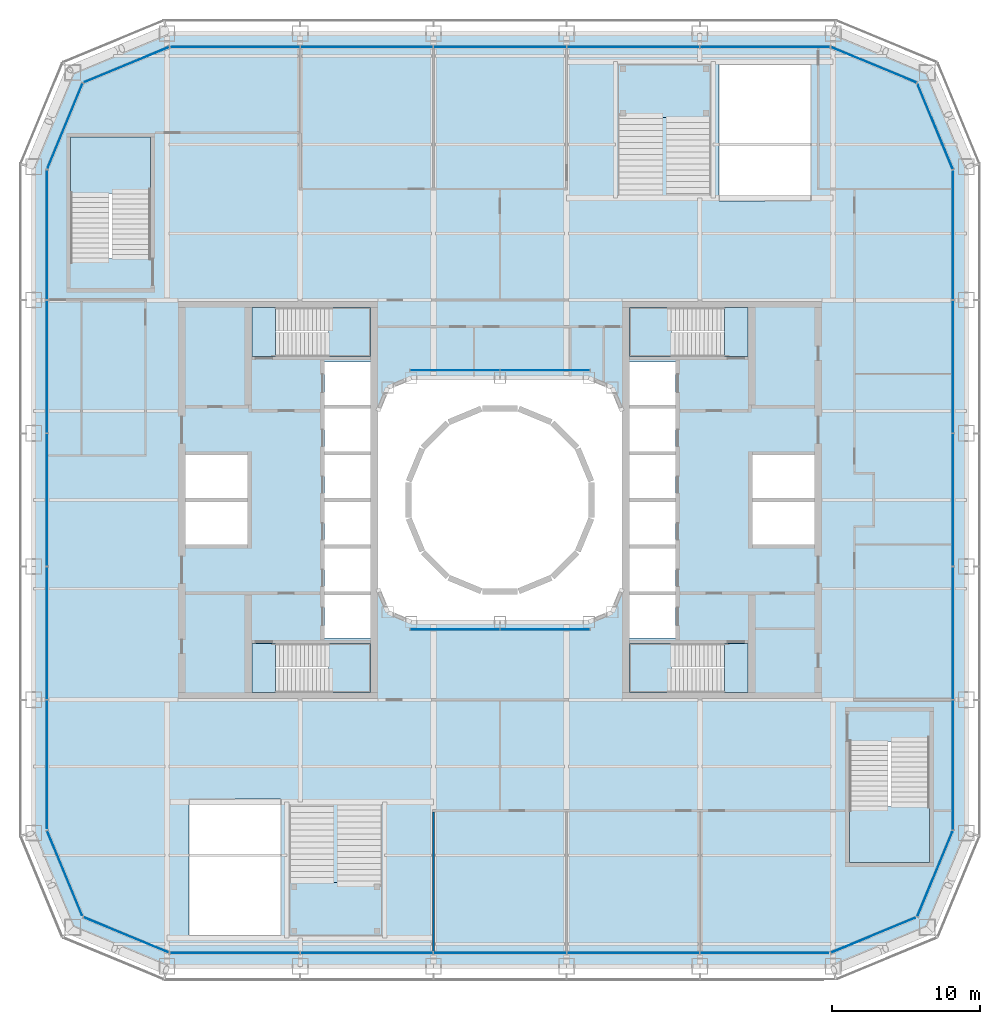
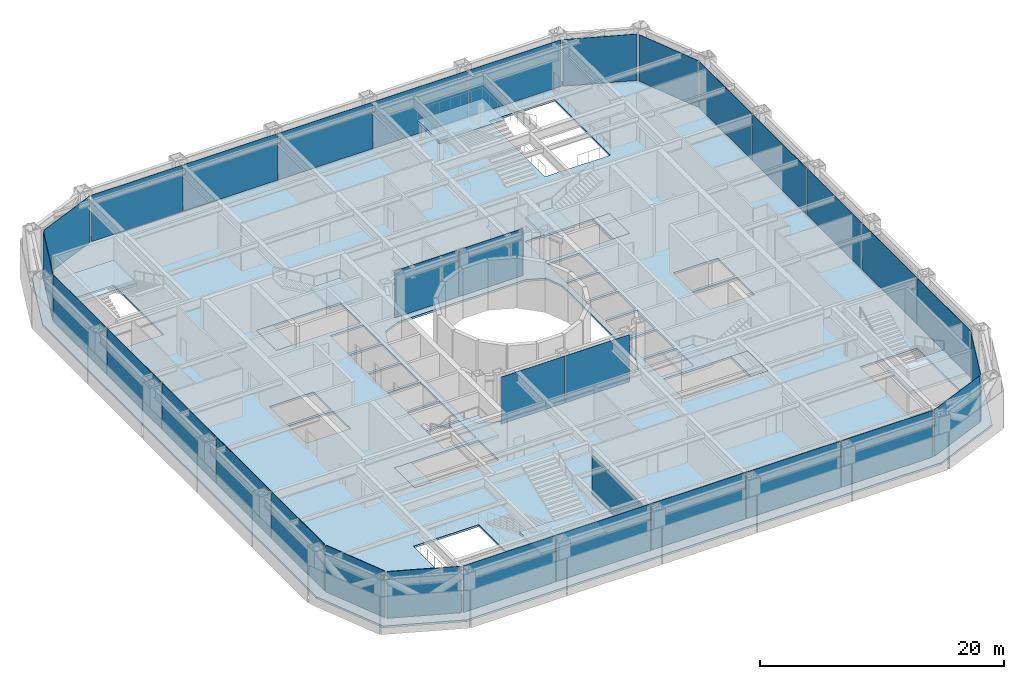
# One storey, part 11 of 25: 32 plates, 13 slabs, 1 wall, 22 elements without a shape of their own.
"""IFC4 building model written with IfcOpenShell, lengths in metres."""

from ifc_helpers import new_model, si_unit, direction, frame, frame_2d, origin, origin_2d, place, context, subcontext, project, spatial, polyline, rectangle, outline, extrude, material, layer, layer_set, type_object, element, aggregate, save


model = new_model("IFC4")

# Units and contexts
model_context = context("Model", 3, precision=1e-05, world=origin(), true_north=direction((0.0, 1.0)))
body_context = subcontext(model_context, "Body", "Model", "MODEL_VIEW")
ifc_project = project(units=[si_unit("LENGTHUNIT", "METRE"), si_unit("AREAUNIT", "SQUARE_METRE"), si_unit("VOLUMEUNIT", "CUBIC_METRE"), si_unit("PLANEANGLEUNIT", "RADIAN"), si_unit("MASSUNIT", "GRAM", prefix="KILO")], contexts=[model_context])

# Site, building, storey
site_placement = place(None, origin())
site = spatial("IfcSite", under=ifc_project, at=site_placement, CompositionType="ELEMENT")
building_placement = place(site_placement, origin())
building = spatial("IfcBuilding", under=site, at=building_placement, Name="Siwar Civic Tower", CompositionType="ELEMENT")
storey_placement = place(building_placement, frame((0.0, 0.0, 7.199951171875)))
storey = spatial("IfcBuildingStorey", under=building, at=storey_placement, Name="L01", CompositionType="ELEMENT", Elevation=7.199951171875)

# Stair, slabs
ifc_material_1 = material(Name="Concrete C40/50", Category="concrete")
stair_type_1 = type_object("IfcStairType", Name="CORE-STAIR", PredefinedType="TWO_STRAIGHT_RUN_STAIR", material=ifc_material_1)
stair_1_placement = place(storey_placement, origin())
stair_1 = element("IfcStair", 1, at=stair_1_placement, inside=storey, type_object=stair_type_1, Name="Exit stair ST1", PredefinedType="TWO_STRAIGHT_RUN_STAIR")
ifc_material_2 = material(Name="Concrete C40/50", Category="concrete")
ifc_layer_1 = layer(ifc_material_2, 0.300048828125)
ifc_layer_set_1 = layer_set([ifc_layer_1], Name="Concrete C40/50")
slab_type_1 = type_object("IfcSlabType", Name="CORE-STAIR-LANDING", PredefinedType="LANDING", material=ifc_layer_set_1)
slab_1_placement = place(storey_placement, frame((0.0, 0.0, -0.300048828125)))
slab_1 = element("IfcSlab", 2, at=slab_1_placement, type_object=slab_type_1, Name="ST1 landing 1", PredefinedType="LANDING", context=body_context, shape_type="SweptSolid", body=[
    extrude(outline(polyline([(-15.14990234375, 13.0), (-16.75, 13.0), (-16.75, 9.699951171875), (-15.14990234375, 9.699951171875), (-15.14990234375, 13.0)])), origin(), (0.0, 0.0, 1.0), 0.300048828125),
])
slab_2_placement = place(storey_placement, frame((0.0, 0.0, 2.199951171875)))
slab_2 = element("IfcSlab", 3, at=slab_2_placement, type_object=slab_type_1, Name="ST1 landing 2", PredefinedType="LANDING", context=body_context, shape_type="SweptSolid", body=[
    extrude(outline(polyline([(-8.75, 13.0), (-11.580078125, 13.0), (-11.580078125, 9.699951171875), (-8.75, 9.699951171875), (-8.75, 13.0)])), origin(), (0.0, 0.0, 1.0), 0.300048828125),
])
aggregate(stair_1, [slab_1, slab_2])

stair_2_placement = place(storey_placement, origin())
stair_2 = element("IfcStair", 4, at=stair_2_placement, inside=storey, type_object=stair_type_1, Name="Exit stair ST2", PredefinedType="TWO_STRAIGHT_RUN_STAIR")
slab_3_placement = place(storey_placement, frame((0.0, 0.0, -0.300048828125)))
slab_3 = element("IfcSlab", 5, at=slab_3_placement, type_object=slab_type_1, Name="ST2 landing 1", PredefinedType="LANDING", context=body_context, shape_type="SweptSolid", body=[
    extrude(outline(polyline([(-15.14990234375, -9.699951171875), (-16.75, -9.699951171875), (-16.75, -13.0), (-15.14990234375, -13.0), (-15.14990234375, -9.699951171875)])), origin(), (0.0, 0.0, 1.0), 0.300048828125),
])
slab_4_placement = place(storey_placement, frame((0.0, 0.0, 2.199951171875)))
slab_4 = element("IfcSlab", 6, at=slab_4_placement, type_object=slab_type_1, Name="ST2 landing 2", PredefinedType="LANDING", context=body_context, shape_type="SweptSolid", body=[
    extrude(outline(polyline([(-8.75, -9.699951171875), (-11.580078125, -9.699951171875), (-11.580078125, -13.0), (-8.75, -13.0), (-8.75, -9.699951171875)])), origin(), (0.0, 0.0, 1.0), 0.300048828125),
])
aggregate(stair_2, [slab_3, slab_4])

stair_3_placement = place(storey_placement, origin())
stair_3 = element("IfcStair", 7, at=stair_3_placement, inside=storey, type_object=stair_type_1, Name="Exit stair ST3", PredefinedType="TWO_STRAIGHT_RUN_STAIR")
slab_5_placement = place(storey_placement, frame((0.0, 0.0, -0.300048828125)))
slab_5 = element("IfcSlab", 8, at=slab_5_placement, type_object=slab_type_1, Name="ST3 landing 1", PredefinedType="LANDING", context=body_context, shape_type="SweptSolid", body=[
    extrude(outline(polyline([(15.14990234375, 9.699951171875), (16.75, 9.699951171875), (16.75, 13.0), (15.14990234375, 13.0), (15.14990234375, 9.699951171875)])), origin(), (0.0, 0.0, 1.0), 0.300048828125),
])
slab_6_placement = place(storey_placement, frame((0.0, 0.0, 2.199951171875)))
slab_6 = element("IfcSlab", 9, at=slab_6_placement, type_object=slab_type_1, Name="ST3 landing 2", PredefinedType="LANDING", context=body_context, shape_type="SweptSolid", body=[
    extrude(outline(polyline([(8.75, 9.699951171875), (11.580078125, 9.699951171875), (11.580078125, 13.0), (8.75, 13.0), (8.75, 9.699951171875)])), origin(), (0.0, 0.0, 1.0), 0.300048828125),
])
aggregate(stair_3, [slab_5, slab_6])

stair_4_placement = place(storey_placement, origin())
stair_4 = element("IfcStair", 10, at=stair_4_placement, inside=storey, type_object=stair_type_1, Name="Exit stair ST4", PredefinedType="TWO_STRAIGHT_RUN_STAIR")
slab_7_placement = place(storey_placement, frame((0.0, 0.0, -0.300048828125)))
slab_7 = element("IfcSlab", 11, at=slab_7_placement, type_object=slab_type_1, Name="ST4 landing 1", PredefinedType="LANDING", context=body_context, shape_type="SweptSolid", body=[
    extrude(outline(polyline([(15.14990234375, -13.0), (16.75, -13.0), (16.75, -9.699951171875), (15.14990234375, -9.699951171875), (15.14990234375, -13.0)])), origin(), (0.0, 0.0, 1.0), 0.300048828125),
])
slab_8_placement = place(storey_placement, frame((0.0, 0.0, 2.199951171875)))
slab_8 = element("IfcSlab", 12, at=slab_8_placement, type_object=slab_type_1, Name="ST4 landing 2", PredefinedType="LANDING", context=body_context, shape_type="SweptSolid", body=[
    extrude(outline(polyline([(8.75, -13.0), (11.580078125, -13.0), (11.580078125, -9.699951171875), (8.75, -9.699951171875), (8.75, -13.0)])), origin(), (0.0, 0.0, 1.0), 0.300048828125),
])
aggregate(stair_4, [slab_7, slab_8])

# Curtain wall, plates
ifc_material_3 = material(Name="Aluminium and glass", Category="aluminium")
ifc_layer_2 = layer(ifc_material_3, 0.25)
ifc_layer_set_2 = layer_set([ifc_layer_2], Name="Aluminium and glass")
curtain_wall_type_1 = type_object("IfcCurtainWallType", Name="ENV-CW-H", PredefinedType="NOTDEFINED", material=ifc_layer_set_2)
curtain_wall_1_placement = place(storey_placement, origin())
curtain_wall_1 = element("IfcCurtainWall", 13, at=curtain_wall_1_placement, inside=storey, type_object=curtain_wall_type_1, Name="Curtain wall H S", PredefinedType="NOTDEFINED")
ifc_material_4 = material(Name="Glass clear laminated", Category="glass")
ifc_layer_3 = layer(ifc_material_4, 0.0400390625)
ifc_layer_set_3 = layer_set([ifc_layer_3], Name="Glass clear laminated")
plate_type_1 = type_object("IfcPlateType", Name="ENV-PANEL-H", PredefinedType="CURTAIN_PANEL", material=ifc_layer_set_3)
plate_1_placement = place(storey_placement, frame((-17.910400390625, -30.60009765625, 0.14013671875), z_axis=(0.0, 0.0, 1.0), x_axis=(1.0, 0.0, 0.0)))
plate_1 = element("IfcPlate", 14, at=plate_1_placement, type_object=plate_type_1, Name="Curtain panel H S 1", PredefinedType="CURTAIN_PANEL", context=body_context, shape_type="SweptSolid", body=[
    extrude(rectangle(XDim=8.740966796875, YDim=0.0400390625, at=origin_2d()), origin(), (0.0, 0.0, 1.0), 4.659912109375),
])
plate_2_placement = place(storey_placement, frame((-9.0, -30.60009765625, 0.14013671875), z_axis=(0.0, 0.0, 1.0), x_axis=(1.0, 0.0, 0.0)))
plate_2 = element("IfcPlate", 15, at=plate_2_placement, type_object=plate_type_1, Name="Curtain panel H S 2", PredefinedType="CURTAIN_PANEL", context=body_context, shape_type="SweptSolid", body=[
    extrude(rectangle(XDim=8.919921875, YDim=0.0400390625, at=origin_2d()), origin(), (0.0, 0.0, 1.0), 4.659912109375),
])
plate_3_placement = place(storey_placement, frame((0.0, -30.60009765625, 0.14013671875), z_axis=(0.0, 0.0, 1.0), x_axis=(1.0, 0.0, 0.0)))
plate_3 = element("IfcPlate", 16, at=plate_3_placement, type_object=plate_type_1, Name="Curtain panel H S 3", PredefinedType="CURTAIN_PANEL", context=body_context, shape_type="SweptSolid", body=[
    extrude(rectangle(XDim=8.919921875, YDim=0.0400390625, at=origin_2d()), origin(), (0.0, 0.0, 1.0), 4.659912109375),
])
plate_4_placement = place(storey_placement, frame((9.0, -30.60009765625, 0.14013671875), z_axis=(0.0, 0.0, 1.0), x_axis=(1.0, 0.0, 0.0)))
plate_4 = element("IfcPlate", 17, at=plate_4_placement, type_object=plate_type_1, Name="Curtain panel H S 4", PredefinedType="CURTAIN_PANEL", context=body_context, shape_type="SweptSolid", body=[
    extrude(rectangle(XDim=8.919921875, YDim=0.0400390625, at=origin_2d()), origin(), (0.0, 0.0, 1.0), 4.659912109375),
])
plate_5_placement = place(storey_placement, frame((17.862060546875, -30.60009765625, 0.14013671875), z_axis=(0.0, 0.0, 1.0), x_axis=(1.0, 0.0, 0.0)))
plate_5 = element("IfcPlate", 18, at=plate_5_placement, type_object=plate_type_1, Name="Curtain panel H S 5", PredefinedType="CURTAIN_PANEL", context=body_context, shape_type="SweptSolid", body=[
    extrude(rectangle(XDim=8.644287109375, YDim=0.0400390625, at=origin_2d()), origin(), (0.0, 0.0, 1.0), 4.659912109375),
])
aggregate(curtain_wall_1, [plate_1, plate_2, plate_3, plate_4, plate_5])

curtain_wall_2_placement = place(storey_placement, origin())
curtain_wall_2 = element("IfcCurtainWall", 19, at=curtain_wall_2_placement, inside=storey, type_object=curtain_wall_type_1, Name="Curtain wall H E", PredefinedType="NOTDEFINED")
plate_6_placement = place(storey_placement, frame((30.60009765625, -17.910400390625, 0.14013671875), z_axis=(0.0, 0.0, 1.0), x_axis=(0.0, 1.0, 0.0)))
plate_6 = element("IfcPlate", 20, at=plate_6_placement, type_object=plate_type_1, Name="Curtain panel H E 1", PredefinedType="CURTAIN_PANEL", context=body_context, shape_type="SweptSolid", body=[
    extrude(rectangle(XDim=8.740966796875, YDim=0.0400390625, at=origin_2d()), origin(), (0.0, 0.0, 1.0), 4.659912109375),
])
plate_7_placement = place(storey_placement, frame((30.60009765625, -9.0, 0.14013671875), z_axis=(0.0, 0.0, 1.0), x_axis=(0.0, 1.0, 0.0)))
plate_7 = element("IfcPlate", 21, at=plate_7_placement, type_object=plate_type_1, Name="Curtain panel H E 2", PredefinedType="CURTAIN_PANEL", context=body_context, shape_type="SweptSolid", body=[
    extrude(rectangle(XDim=8.919921875, YDim=0.0400390625, at=origin_2d()), origin(), (0.0, 0.0, 1.0), 4.659912109375),
])
plate_8_placement = place(storey_placement, frame((30.60009765625, 0.0, 0.14013671875), z_axis=(0.0, 0.0, 1.0), x_axis=(0.0, 1.0, 0.0)))
plate_8 = element("IfcPlate", 22, at=plate_8_placement, type_object=plate_type_1, Name="Curtain panel H E 3", PredefinedType="CURTAIN_PANEL", context=body_context, shape_type="SweptSolid", body=[
    extrude(rectangle(XDim=8.919921875, YDim=0.0400390625, at=origin_2d()), origin(), (0.0, 0.0, 1.0), 4.659912109375),
])
plate_9_placement = place(storey_placement, frame((30.60009765625, 9.0, 0.14013671875), z_axis=(0.0, 0.0, 1.0), x_axis=(0.0, 1.0, 0.0)))
plate_9 = element("IfcPlate", 23, at=plate_9_placement, type_object=plate_type_1, Name="Curtain panel H E 4", PredefinedType="CURTAIN_PANEL", context=body_context, shape_type="SweptSolid", body=[
    extrude(rectangle(XDim=8.919921875, YDim=0.0400390625, at=origin_2d()), origin(), (0.0, 0.0, 1.0), 4.659912109375),
])
plate_10_placement = place(storey_placement, frame((30.60009765625, 17.862060546875, 0.14013671875), z_axis=(0.0, 0.0, 1.0), x_axis=(0.0, 1.0, 0.0)))
plate_10 = element("IfcPlate", 24, at=plate_10_placement, type_object=plate_type_1, Name="Curtain panel H E 5", PredefinedType="CURTAIN_PANEL", context=body_context, shape_type="SweptSolid", body=[
    extrude(rectangle(XDim=8.644287109375, YDim=0.0400390625, at=origin_2d()), origin(), (0.0, 0.0, 1.0), 4.659912109375),
])
aggregate(curtain_wall_2, [plate_6, plate_7, plate_8, plate_9, plate_10])

curtain_wall_3_placement = place(storey_placement, origin())
curtain_wall_3 = element("IfcCurtainWall", 25, at=curtain_wall_3_placement, inside=storey, type_object=curtain_wall_type_1, Name="Curtain wall H N", PredefinedType="NOTDEFINED")
plate_11_placement = place(storey_placement, frame((17.910400390625, 30.60009765625, 0.14013671875), z_axis=(0.0, 0.0, 1.0), x_axis=(-1.0, 0.0, 0.0)))
plate_11 = element("IfcPlate", 26, at=plate_11_placement, type_object=plate_type_1, Name="Curtain panel H N 1", PredefinedType="CURTAIN_PANEL", context=body_context, shape_type="SweptSolid", body=[
    extrude(rectangle(XDim=8.740966796875, YDim=0.0400390625, at=origin_2d()), origin(), (0.0, 0.0, 1.0), 4.659912109375),
])
plate_12_placement = place(storey_placement, frame((9.0, 30.60009765625, 0.14013671875), z_axis=(0.0, 0.0, 1.0), x_axis=(-1.0, 0.0, 0.0)))
plate_12 = element("IfcPlate", 27, at=plate_12_placement, type_object=plate_type_1, Name="Curtain panel H N 2", PredefinedType="CURTAIN_PANEL", context=body_context, shape_type="SweptSolid", body=[
    extrude(rectangle(XDim=8.919921875, YDim=0.0400390625, at=origin_2d()), origin(), (0.0, 0.0, 1.0), 4.659912109375),
])
plate_13_placement = place(storey_placement, frame((0.0, 30.60009765625, 0.14013671875), z_axis=(0.0, 0.0, 1.0), x_axis=(-1.0, 0.0, 0.0)))
plate_13 = element("IfcPlate", 28, at=plate_13_placement, type_object=plate_type_1, Name="Curtain panel H N 3", PredefinedType="CURTAIN_PANEL", context=body_context, shape_type="SweptSolid", body=[
    extrude(rectangle(XDim=8.919921875, YDim=0.0400390625, at=origin_2d()), origin(), (0.0, 0.0, 1.0), 4.659912109375),
])
plate_14_placement = place(storey_placement, frame((-9.0, 30.60009765625, 0.14013671875), z_axis=(0.0, 0.0, 1.0), x_axis=(-1.0, 0.0, 0.0)))
plate_14 = element("IfcPlate", 29, at=plate_14_placement, type_object=plate_type_1, Name="Curtain panel H N 4", PredefinedType="CURTAIN_PANEL", context=body_context, shape_type="SweptSolid", body=[
    extrude(rectangle(XDim=8.919921875, YDim=0.0400390625, at=origin_2d()), origin(), (0.0, 0.0, 1.0), 4.659912109375),
])
plate_15_placement = place(storey_placement, frame((-17.862060546875, 30.60009765625, 0.14013671875), z_axis=(0.0, 0.0, 1.0), x_axis=(-1.0, 0.0, 0.0)))
plate_15 = element("IfcPlate", 30, at=plate_15_placement, type_object=plate_type_1, Name="Curtain panel H N 5", PredefinedType="CURTAIN_PANEL", context=body_context, shape_type="SweptSolid", body=[
    extrude(rectangle(XDim=8.644287109375, YDim=0.0400390625, at=origin_2d()), origin(), (0.0, 0.0, 1.0), 4.659912109375),
])
aggregate(curtain_wall_3, [plate_11, plate_12, plate_13, plate_14, plate_15])

curtain_wall_4_placement = place(storey_placement, origin())
curtain_wall_4 = element("IfcCurtainWall", 31, at=curtain_wall_4_placement, inside=storey, type_object=curtain_wall_type_1, Name="Curtain wall H W", PredefinedType="NOTDEFINED")
plate_16_placement = place(storey_placement, frame((-30.60009765625, 17.910400390625, 0.14013671875), z_axis=(0.0, 0.0, 1.0), x_axis=(0.0, -1.0, 0.0)))
plate_16 = element("IfcPlate", 32, at=plate_16_placement, type_object=plate_type_1, Name="Curtain panel H W 1", PredefinedType="CURTAIN_PANEL", context=body_context, shape_type="SweptSolid", body=[
    extrude(rectangle(XDim=8.740966796875, YDim=0.0400390625, at=origin_2d()), origin(), (0.0, 0.0, 1.0), 4.659912109375),
])
plate_17_placement = place(storey_placement, frame((-30.60009765625, 9.0, 0.14013671875), z_axis=(0.0, 0.0, 1.0), x_axis=(0.0, -1.0, 0.0)))
plate_17 = element("IfcPlate", 33, at=plate_17_placement, type_object=plate_type_1, Name="Curtain panel H W 2", PredefinedType="CURTAIN_PANEL", context=body_context, shape_type="SweptSolid", body=[
    extrude(rectangle(XDim=8.919921875, YDim=0.0400390625, at=origin_2d()), origin(), (0.0, 0.0, 1.0), 4.659912109375),
])
plate_18_placement = place(storey_placement, frame((-30.60009765625, 0.0, 0.14013671875), z_axis=(0.0, 0.0, 1.0), x_axis=(0.0, -1.0, 0.0)))
plate_18 = element("IfcPlate", 34, at=plate_18_placement, type_object=plate_type_1, Name="Curtain panel H W 3", PredefinedType="CURTAIN_PANEL", context=body_context, shape_type="SweptSolid", body=[
    extrude(rectangle(XDim=8.919921875, YDim=0.0400390625, at=origin_2d()), origin(), (0.0, 0.0, 1.0), 4.659912109375),
])
plate_19_placement = place(storey_placement, frame((-30.60009765625, -9.0, 0.14013671875), z_axis=(0.0, 0.0, 1.0), x_axis=(0.0, -1.0, 0.0)))
plate_19 = element("IfcPlate", 35, at=plate_19_placement, type_object=plate_type_1, Name="Curtain panel H W 4", PredefinedType="CURTAIN_PANEL", context=body_context, shape_type="SweptSolid", body=[
    extrude(rectangle(XDim=8.919921875, YDim=0.0400390625, at=origin_2d()), origin(), (0.0, 0.0, 1.0), 4.659912109375),
])
plate_20_placement = place(storey_placement, frame((-30.60009765625, -17.862060546875, 0.14013671875), z_axis=(0.0, 0.0, 1.0), x_axis=(0.0, -1.0, 0.0)))
plate_20 = element("IfcPlate", 36, at=plate_20_placement, type_object=plate_type_1, Name="Curtain panel H W 5", PredefinedType="CURTAIN_PANEL", context=body_context, shape_type="SweptSolid", body=[
    extrude(rectangle(XDim=8.644287109375, YDim=0.0400390625, at=origin_2d()), origin(), (0.0, 0.0, 1.0), 4.659912109375),
])
aggregate(curtain_wall_4, [plate_16, plate_17, plate_18, plate_19, plate_20])

# Curtain wall, plate
ifc_material_5 = material(Name="Aluminium clad insulated panel", Category="aluminium")
ifc_layer_4 = layer(ifc_material_5, 0.25)
ifc_layer_set_4 = layer_set([ifc_layer_4], Name="Aluminium clad insulated panel")
curtain_wall_type_2 = type_object("IfcCurtainWallType", Name="ENV-CW-HX", PredefinedType="NOTDEFINED", material=ifc_layer_set_4)
curtain_wall_5_placement = place(storey_placement, origin())
curtain_wall_5 = element("IfcCurtainWall", 37, at=curtain_wall_5_placement, inside=storey, type_object=curtain_wall_type_2, Name="Curtain wall H SE1", PredefinedType="NOTDEFINED")
ifc_material_6 = material(Name="Aluminium clad insulated panel", Category="aluminium")
ifc_layer_5 = layer(ifc_material_6, 0.0400390625)
ifc_layer_set_5 = layer_set([ifc_layer_5], Name="Aluminium clad insulated panel")
plate_type_2 = type_object("IfcPlateType", Name="ENV-PANEL-HX", PredefinedType="CURTAIN_PANEL", material=ifc_layer_set_5)
plate_21_placement = place(storey_placement, frame((25.203369140625, -29.406005859375, 0.14013671875), z_axis=(0.0, 0.0, 1.0), x_axis=(0.923879532511, 0.382683432365, 0.0)))
plate_21 = element("IfcPlate", 38, at=plate_21_placement, type_object=plate_type_2, Name="Curtain panel H SE1 1", PredefinedType="CURTAIN_PANEL", context=body_context, shape_type="SweptSolid", body=[
    extrude(rectangle(XDim=6.159912109375, YDim=0.0400390625, at=origin_2d()), origin(), (0.0, 0.0, 1.0), 4.659912109375),
])
aggregate(curtain_wall_5, [plate_21])

curtain_wall_6_placement = place(storey_placement, origin())
curtain_wall_6 = element("IfcCurtainWall", 39, at=curtain_wall_6_placement, inside=storey, type_object=curtain_wall_type_2, Name="Curtain wall H SE2", PredefinedType="NOTDEFINED")
plate_22_placement = place(storey_placement, frame((29.369140625, -25.292724609375, 0.14013671875), z_axis=(0.0, 0.0, 1.0), x_axis=(0.382683432365, 0.923879532511, 0.0)))
plate_22 = element("IfcPlate", 40, at=plate_22_placement, type_object=plate_type_2, Name="Curtain panel H SE2 1", PredefinedType="CURTAIN_PANEL", context=body_context, shape_type="SweptSolid", body=[
    extrude(rectangle(XDim=6.159912109375, YDim=0.0400390625, at=origin_2d()), origin(), (0.0, 0.0, 1.0), 4.659912109375),
])
aggregate(curtain_wall_6, [plate_22])

curtain_wall_7_placement = place(storey_placement, origin())
curtain_wall_7 = element("IfcCurtainWall", 41, at=curtain_wall_7_placement, inside=storey, type_object=curtain_wall_type_2, Name="Curtain wall H NE1", PredefinedType="NOTDEFINED")
plate_23_placement = place(storey_placement, frame((29.406005859375, 25.203369140625, 0.14013671875), z_axis=(0.0, 0.0, 1.0), x_axis=(-0.382683432365, 0.923879532511, 0.0)))
plate_23 = element("IfcPlate", 42, at=plate_23_placement, type_object=plate_type_2, Name="Curtain panel H NE1 1", PredefinedType="CURTAIN_PANEL", context=body_context, shape_type="SweptSolid", body=[
    extrude(rectangle(XDim=6.159912109375, YDim=0.0400390625, at=origin_2d()), origin(), (0.0, 0.0, 1.0), 4.659912109375),
])
aggregate(curtain_wall_7, [plate_23])

curtain_wall_8_placement = place(storey_placement, origin())
curtain_wall_8 = element("IfcCurtainWall", 43, at=curtain_wall_8_placement, inside=storey, type_object=curtain_wall_type_2, Name="Curtain wall H NE2", PredefinedType="NOTDEFINED")
plate_24_placement = place(storey_placement, frame((25.292724609375, 29.369140625, 0.14013671875), z_axis=(0.0, 0.0, 1.0), x_axis=(-0.923879532511, 0.382683432365, 0.0)))
plate_24 = element("IfcPlate", 44, at=plate_24_placement, type_object=plate_type_2, Name="Curtain panel H NE2 1", PredefinedType="CURTAIN_PANEL", context=body_context, shape_type="SweptSolid", body=[
    extrude(rectangle(XDim=6.159912109375, YDim=0.0400390625, at=origin_2d()), origin(), (0.0, 0.0, 1.0), 4.659912109375),
])
aggregate(curtain_wall_8, [plate_24])

curtain_wall_9_placement = place(storey_placement, origin())
curtain_wall_9 = element("IfcCurtainWall", 45, at=curtain_wall_9_placement, inside=storey, type_object=curtain_wall_type_2, Name="Curtain wall H NW1", PredefinedType="NOTDEFINED")
plate_25_placement = place(storey_placement, frame((-25.203369140625, 29.406005859375, 0.14013671875), z_axis=(0.0, 0.0, 1.0), x_axis=(-0.923879532511, -0.382683432365, 0.0)))
plate_25 = element("IfcPlate", 46, at=plate_25_placement, type_object=plate_type_2, Name="Curtain panel H NW1 1", PredefinedType="CURTAIN_PANEL", context=body_context, shape_type="SweptSolid", body=[
    extrude(rectangle(XDim=6.159912109375, YDim=0.0400390625, at=origin_2d()), origin(), (0.0, 0.0, 1.0), 4.659912109375),
])
aggregate(curtain_wall_9, [plate_25])

curtain_wall_10_placement = place(storey_placement, origin())
curtain_wall_10 = element("IfcCurtainWall", 47, at=curtain_wall_10_placement, inside=storey, type_object=curtain_wall_type_2, Name="Curtain wall H NW2", PredefinedType="NOTDEFINED")
plate_26_placement = place(storey_placement, frame((-29.369140625, 25.292724609375, 0.14013671875), z_axis=(0.0, 0.0, 1.0), x_axis=(-0.382683432365, -0.923879532511, 0.0)))
plate_26 = element("IfcPlate", 48, at=plate_26_placement, type_object=plate_type_2, Name="Curtain panel H NW2 1", PredefinedType="CURTAIN_PANEL", context=body_context, shape_type="SweptSolid", body=[
    extrude(rectangle(XDim=6.159912109375, YDim=0.0400390625, at=origin_2d()), origin(), (0.0, 0.0, 1.0), 4.659912109375),
])
aggregate(curtain_wall_10, [plate_26])

curtain_wall_11_placement = place(storey_placement, origin())
curtain_wall_11 = element("IfcCurtainWall", 49, at=curtain_wall_11_placement, inside=storey, type_object=curtain_wall_type_2, Name="Curtain wall H SW1", PredefinedType="NOTDEFINED")
plate_27_placement = place(storey_placement, frame((-29.406005859375, -25.203369140625, 0.14013671875), z_axis=(0.0, 0.0, 1.0), x_axis=(0.382683432365, -0.923879532511, 0.0)))
plate_27 = element("IfcPlate", 50, at=plate_27_placement, type_object=plate_type_2, Name="Curtain panel H SW1 1", PredefinedType="CURTAIN_PANEL", context=body_context, shape_type="SweptSolid", body=[
    extrude(rectangle(XDim=6.159912109375, YDim=0.0400390625, at=origin_2d()), origin(), (0.0, 0.0, 1.0), 4.659912109375),
])
aggregate(curtain_wall_11, [plate_27])

curtain_wall_12_placement = place(storey_placement, origin())
curtain_wall_12 = element("IfcCurtainWall", 51, at=curtain_wall_12_placement, inside=storey, type_object=curtain_wall_type_2, Name="Curtain wall H SW2", PredefinedType="NOTDEFINED")
plate_28_placement = place(storey_placement, frame((-25.292724609375, -29.369140625, 0.14013671875), z_axis=(0.0, 0.0, 1.0), x_axis=(0.923879532511, -0.382683432365, 0.0)))
plate_28 = element("IfcPlate", 52, at=plate_28_placement, type_object=plate_type_2, Name="Curtain panel H SW2 1", PredefinedType="CURTAIN_PANEL", context=body_context, shape_type="SweptSolid", body=[
    extrude(rectangle(XDim=6.159912109375, YDim=0.0400390625, at=origin_2d()), origin(), (0.0, 0.0, 1.0), 4.659912109375),
])
aggregate(curtain_wall_12, [plate_28])

# Curtain wall, plates
ifc_material_7 = material(Name="Aluminium and glass", Category="aluminium")
ifc_layer_6 = layer(ifc_material_7, 0.179931640625)
ifc_layer_set_6 = layer_set([ifc_layer_6], Name="Aluminium and glass")
curtain_wall_type_3 = type_object("IfcCurtainWallType", Name="ENV-CW-W", PredefinedType="NOTDEFINED", material=ifc_layer_set_6)
curtain_wall_13_placement = place(storey_placement, origin())
curtain_wall_13 = element("IfcCurtainWall", 53, at=curtain_wall_13_placement, inside=storey, type_object=curtain_wall_type_3, Name="Curtain wall W WS", PredefinedType="NOTDEFINED")
ifc_material_8 = material(Name="Glass clear laminated", Category="glass")
ifc_layer_7 = layer(ifc_material_8, 0.031982421875)
ifc_layer_set_7 = layer_set([ifc_layer_7], Name="Glass clear laminated")
plate_type_3 = type_object("IfcPlateType", Name="ENV-PANEL-W", PredefinedType="CURTAIN_PANEL", material=ifc_layer_set_7)
plate_29_placement = place(storey_placement, frame((-3.05078125, -8.760009765625, 0.10009765625), z_axis=(0.0, 0.0, 1.0), x_axis=(1.0, 0.0, 0.0)))
plate_29 = element("IfcPlate", 54, at=plate_29_placement, type_object=plate_type_3, Name="Curtain panel W WS 1", PredefinedType="CURTAIN_PANEL", context=body_context, shape_type="SweptSolid", body=[
    extrude(rectangle(XDim=6.04150390625, YDim=0.031982421875, at=origin_2d()), origin(), (0.0, 0.0, 1.0), 4.699951171875),
])
plate_30_placement = place(storey_placement, frame((3.05078125, -8.760009765625, 0.10009765625), z_axis=(0.0, 0.0, 1.0), x_axis=(1.0, 0.0, 0.0)))
plate_30 = element("IfcPlate", 55, at=plate_30_placement, type_object=plate_type_3, Name="Curtain panel W WS 2", PredefinedType="CURTAIN_PANEL", context=body_context, shape_type="SweptSolid", body=[
    extrude(rectangle(XDim=6.04150390625, YDim=0.031982421875, at=origin_2d()), origin(), (0.0, 0.0, 1.0), 4.699951171875),
])
aggregate(curtain_wall_13, [plate_29, plate_30])

curtain_wall_14_placement = place(storey_placement, origin())
curtain_wall_14 = element("IfcCurtainWall", 56, at=curtain_wall_14_placement, inside=storey, type_object=curtain_wall_type_3, Name="Curtain wall W WN", PredefinedType="NOTDEFINED")
plate_31_placement = place(storey_placement, frame((3.05078125, 8.760009765625, 0.10009765625), z_axis=(0.0, 0.0, 1.0), x_axis=(-1.0, 0.0, 0.0)))
plate_31 = element("IfcPlate", 57, at=plate_31_placement, type_object=plate_type_3, Name="Curtain panel W WN 1", PredefinedType="CURTAIN_PANEL", context=body_context, shape_type="SweptSolid", body=[
    extrude(rectangle(XDim=6.04150390625, YDim=0.031982421875, at=origin_2d()), origin(), (0.0, 0.0, 1.0), 4.699951171875),
])
plate_32_placement = place(storey_placement, frame((-3.05078125, 8.760009765625, 0.10009765625), z_axis=(0.0, 0.0, 1.0), x_axis=(-1.0, 0.0, 0.0)))
plate_32 = element("IfcPlate", 58, at=plate_32_placement, type_object=plate_type_3, Name="Curtain panel W WN 2", PredefinedType="CURTAIN_PANEL", context=body_context, shape_type="SweptSolid", body=[
    extrude(rectangle(XDim=6.04150390625, YDim=0.031982421875, at=origin_2d()), origin(), (0.0, 0.0, 1.0), 4.699951171875),
])
aggregate(curtain_wall_14, [plate_31, plate_32])

# Stair, slab
ifc_material_9 = material(Name="Concrete C40/50", Category="concrete")
stair_type_2 = type_object("IfcStairType", Name="GND-ES-STAIR-UPPER", PredefinedType="TWO_STRAIGHT_RUN_STAIR", material=ifc_material_9)
stair_5_placement = place(storey_placement, origin())
stair_5 = element("IfcStair", 59, at=stair_5_placement, inside=storey, type_object=stair_type_2, Name="Exit stair ST5", PredefinedType="TWO_STRAIGHT_RUN_STAIR")
ifc_material_10 = material(Name="Concrete C40/50", Category="concrete")
ifc_layer_8 = layer(ifc_material_10, 0.300048828125)
ifc_layer_set_8 = layer_set([ifc_layer_8], Name="Concrete C40/50")
slab_type_2 = type_object("IfcSlabType", Name="GND-ES-LANDING", PredefinedType="LANDING", material=ifc_layer_set_8)
slab_9_placement = place(storey_placement, frame((0.0, 0.0, 2.199951171875)))
slab_9 = element("IfcSlab", 60, at=slab_9_placement, type_object=slab_type_2, Name="ST5 landing 1", PredefinedType="LANDING", context=body_context, shape_type="SweptSolid", body=[
    extrude(outline(polyline([(-29.0, 20.7099609375), (-23.60009765625, 20.7099609375), (-23.60009765625, 24.5), (-29.0, 24.5), (-29.0, 20.7099609375)])), origin(), (0.0, 0.0, 1.0), 0.300048828125),
])
aggregate(stair_5, [slab_9])

stair_6_placement = place(storey_placement, origin())
stair_6 = element("IfcStair", 61, at=stair_6_placement, inside=storey, type_object=stair_type_2, Name="Exit stair ST6", PredefinedType="TWO_STRAIGHT_RUN_STAIR")
slab_10_placement = place(storey_placement, frame((0.0, 0.0, 2.199951171875)))
slab_10 = element("IfcSlab", 62, at=slab_10_placement, type_object=slab_type_2, Name="ST6 landing 1", PredefinedType="LANDING", context=body_context, shape_type="SweptSolid", body=[
    extrude(outline(polyline([(29.0, -20.7099609375), (23.60009765625, -20.7099609375), (23.60009765625, -24.5), (29.0, -24.5), (29.0, -20.7099609375)])), origin(), (0.0, 0.0, 1.0), 0.300048828125),
])
aggregate(stair_6, [slab_10])

ifc_material_11 = material(Name="Concrete C40/50", Category="concrete")
stair_type_3 = type_object("IfcStairType", Name="GND-GS-STAIR", PredefinedType="TWO_STRAIGHT_RUN_STAIR", material=ifc_material_11)
stair_7_placement = place(storey_placement, origin())
stair_7 = element("IfcStair", 63, at=stair_7_placement, inside=storey, type_object=stair_type_3, Name="Grand stair 1", PredefinedType="TWO_STRAIGHT_RUN_STAIR")
ifc_material_12 = material(Name="Concrete C40/50", Category="concrete")
ifc_layer_9 = layer(ifc_material_12, 0.300048828125)
ifc_layer_set_9 = layer_set([ifc_layer_9], Name="Concrete C40/50")
slab_type_3 = type_object("IfcSlabType", Name="GND-GS-LANDING", PredefinedType="LANDING", material=ifc_layer_set_9)
slab_11_placement = place(storey_placement, frame((0.0, 0.0, 2.199951171875)))
slab_11 = element("IfcSlab", 64, at=slab_11_placement, type_object=slab_type_3, Name="GS1 landing 1", PredefinedType="LANDING", context=body_context, shape_type="SweptSolid", body=[
    extrude(outline(polyline([(-14.199951171875, -29.39990234375), (-8.0, -29.39990234375), (-8.0, -25.85009765625), (-14.199951171875, -25.85009765625), (-14.199951171875, -29.39990234375)])), origin(), (0.0, 0.0, 1.0), 0.300048828125),
])
aggregate(stair_7, [slab_11])

stair_8_placement = place(storey_placement, origin())
stair_8 = element("IfcStair", 65, at=stair_8_placement, inside=storey, type_object=stair_type_3, Name="Grand stair 2", PredefinedType="TWO_STRAIGHT_RUN_STAIR")
slab_12_placement = place(storey_placement, frame((0.0, 0.0, 2.199951171875)))
slab_12 = element("IfcSlab", 66, at=slab_12_placement, type_object=slab_type_3, Name="GS2 landing 1", PredefinedType="LANDING", context=body_context, shape_type="SweptSolid", body=[
    extrude(outline(polyline([(14.199951171875, 29.39990234375), (8.0, 29.39990234375), (8.0, 25.85009765625), (14.199951171875, 25.85009765625), (14.199951171875, 29.39990234375)])), origin(), (0.0, 0.0, 1.0), 0.300048828125),
])
aggregate(stair_8, [slab_12])

# Slab
ifc_material_13 = material(Name="Concrete C40/50", Category="concrete")
ifc_layer_10 = layer(ifc_material_13, 0.199951171875)
ifc_layer_set_10 = layer_set([ifc_layer_10], Name="Concrete C40/50")
slab_type_4 = type_object("IfcSlabType", Name="STR-FLOOR-DECK-200", PredefinedType="FLOOR", material=ifc_layer_set_10)
slab_13_placement = place(storey_placement, frame((0.0, 0.0, -0.199951171875)))
element("IfcSlab", 67, at=slab_13_placement, inside=storey, type_object=slab_type_4, Name="L01/slab/1", PredefinedType="FLOOR", context=body_context, shape_type="SweptSolid", body=[
    extrude(outline(polyline([(-22.5, -31.5), (22.5, -31.5), (28.864013671875, -28.864013671875), (31.5, -22.5), (31.5, 22.5), (28.864013671875, 28.864013671875), (22.5, 31.5), (-22.5, 31.5), (-28.864013671875, 28.864013671875), (-31.5, 22.5), (-31.5, -22.5), (-28.864013671875, -28.864013671875), (-22.5, -31.5)]), holes=[polyline([(29.0, -16.300048828125), (29.0, -24.5), (23.60009765625, -24.5), (23.60009765625, -16.300048828125), (29.0, -16.300048828125)]), polyline([(21.25, 3.02490234375), (21.25, 0.125), (17.050048828125, 0.125), (17.050048828125, 3.02490234375), (21.25, 3.02490234375)]), polyline([(17.050048828125, -0.125), (21.25, -0.125), (21.25, -3.02490234375), (17.050048828125, -3.02490234375), (17.050048828125, -0.125)]), polyline([(21.0, 29.39990234375), (21.0, 20.199951171875), (14.800048828125, 20.199951171875), (14.800048828125, 29.39990234375), (21.0, 29.39990234375)]), polyline([(16.75, 13.0), (16.75, 9.699951171875), (8.75, 9.699951171875), (8.75, 13.0), (16.75, 13.0)]), polyline([(16.75, -9.699951171875), (16.75, -13.0), (8.75, -13.0), (8.75, -9.699951171875), (16.75, -9.699951171875)]), polyline([(11.85009765625, 9.324951171875), (11.85009765625, 6.425048828125), (8.75, 6.425048828125), (8.75, 9.324951171875), (11.85009765625, 9.324951171875)]), polyline([(11.85009765625, 6.175048828125), (11.85009765625, 3.27490234375), (8.75, 3.27490234375), (8.75, 6.175048828125), (11.85009765625, 6.175048828125)]), polyline([(11.85009765625, 3.02490234375), (11.85009765625, 0.125), (8.75, 0.125), (8.75, 3.02490234375), (11.85009765625, 3.02490234375)]), polyline([(11.85009765625, -0.125), (11.85009765625, -3.02490234375), (8.75, -3.02490234375), (8.75, -0.125), (11.85009765625, -0.125)]), polyline([(11.85009765625, -3.27490234375), (11.85009765625, -6.175048828125), (8.75, -6.175048828125), (8.75, -3.27490234375), (11.85009765625, -3.27490234375)]), polyline([(8.75, -6.425048828125), (11.85009765625, -6.425048828125), (11.85009765625, -9.324951171875), (8.75, -9.324951171875), (8.75, -6.425048828125)]), polyline([(-6.0, 8.25), (6.0, 8.25), (7.591064453125, 7.591064453125), (8.25, 6.0), (8.25, -6.0), (7.591064453125, -7.591064453125), (6.0, -8.25), (-6.0, -8.25), (-7.591064453125, -7.591064453125), (-8.25, -6.0), (-8.25, 6.0), (-7.591064453125, 7.591064453125), (-6.0, 8.25)]), polyline([(-8.75, 3.27490234375), (-11.85009765625, 3.27490234375), (-11.85009765625, 6.175048828125), (-8.75, 6.175048828125), (-8.75, 3.27490234375)]), polyline([(-8.75, -6.175048828125), (-11.85009765625, -6.175048828125), (-11.85009765625, -3.27490234375), (-8.75, -3.27490234375), (-8.75, -6.175048828125)]), polyline([(-11.85009765625, 6.425048828125), (-11.85009765625, 9.324951171875), (-8.75, 9.324951171875), (-8.75, 6.425048828125), (-11.85009765625, 6.425048828125)]), polyline([(-11.85009765625, 0.125), (-11.85009765625, 3.02490234375), (-8.75, 3.02490234375), (-8.75, 0.125), (-11.85009765625, 0.125)]), polyline([(-11.85009765625, -3.02490234375), (-11.85009765625, -0.125), (-8.75, -0.125), (-8.75, -3.02490234375), (-11.85009765625, -3.02490234375)]), polyline([(-11.85009765625, -9.324951171875), (-11.85009765625, -6.425048828125), (-8.75, -6.425048828125), (-8.75, -9.324951171875), (-11.85009765625, -9.324951171875)]), polyline([(-16.75, 9.699951171875), (-16.75, 13.0), (-8.75, 13.0), (-8.75, 9.699951171875), (-16.75, 9.699951171875)]), polyline([(-16.75, -13.0), (-16.75, -9.699951171875), (-8.75, -9.699951171875), (-8.75, -13.0), (-16.75, -13.0)]), polyline([(-21.0, -20.199951171875), (-14.800048828125, -20.199951171875), (-14.800048828125, -29.39990234375), (-21.0, -29.39990234375), (-21.0, -20.199951171875)]), polyline([(-21.25, 0.125), (-21.25, 3.02490234375), (-17.050048828125, 3.02490234375), (-17.050048828125, 0.125), (-21.25, 0.125)]), polyline([(-21.25, -3.02490234375), (-21.25, -0.125), (-17.050048828125, -0.125), (-17.050048828125, -3.02490234375), (-21.25, -3.02490234375)]), polyline([(-29.0, 24.5), (-23.60009765625, 24.5), (-23.60009765625, 16.300048828125), (-29.0, 16.300048828125), (-29.0, 24.5)])]), origin(), (0.0, 0.0, 1.0), 0.199951171875),
])

# Wall
ifc_material_14 = material(Name="Gypsum board on steel studs", Category="steel")
ifc_layer_11 = layer(ifc_material_14, 0.14990234375)
ifc_layer_set_11 = layer_set([ifc_layer_11], Name="Gypsum board on steel studs")
wall_type = type_object("IfcWallType", Name="CORRIDOR PARTITION 150 EI 30", PredefinedType="PARTITIONING", material=ifc_layer_set_11)
wall_placement = place(storey_placement, frame((-4.5, -30.510009765625, 0.0), z_axis=(0.0, 0.0, 1.0), x_axis=(0.0, 1.0, 0.0)))
element("IfcWall", 68, at=wall_placement, inside=storey, type_object=wall_type, Name="L01/wall/P22", PredefinedType="PARTITIONING", context=body_context, shape_type="SweptSolid", body=[
    extrude(rectangle(XDim=9.43505859375, YDim=0.14990234375, at=frame_2d((4.717529296875, 0.0))), origin(), (0.0, 0.0, 1.0), 3.800048828125),
])

save(model, "model.ifc")
